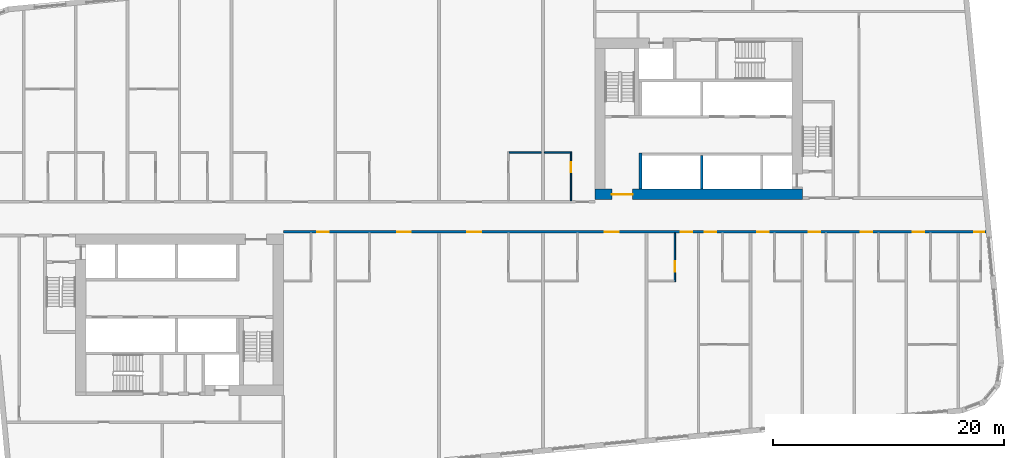
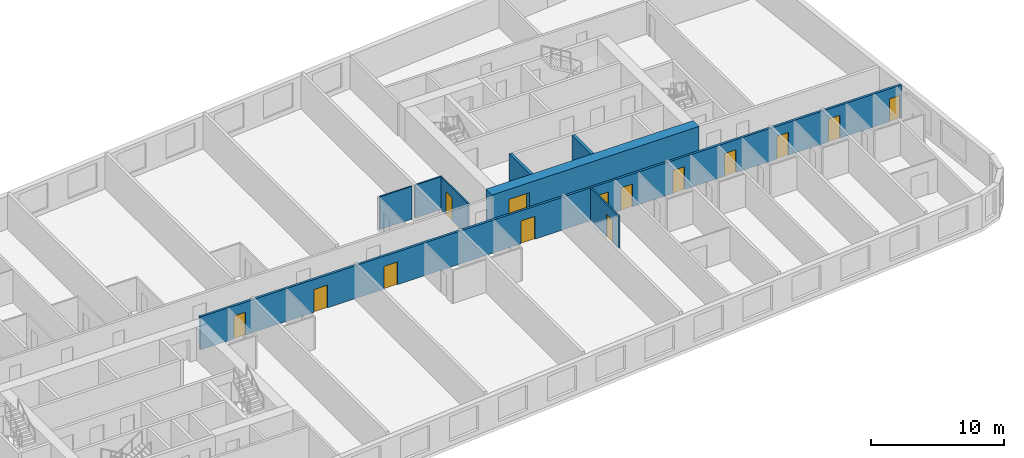
# One storey, part 5 of 12: 14 doors, 8 walls, 14 openings.
"""IFC4 building model written with IfcOpenShell, lengths in metres."""

from ifc_helpers import new_model, si_unit, direction, frame, frame_2d, origin, place, context, subcontext, project, spatial, rectangle, extrude, material, layer, layer_set, type_object, element, fill, save


model = new_model("IFC4")

# Units and contexts
model_context = context("Model", 3, precision=1e-05, world=origin(), true_north=direction((0.0, 1.0)))
body_context = subcontext(model_context, "Body", "Model", "MODEL_VIEW")
ifc_project = project(units=[si_unit("LENGTHUNIT", "METRE"), si_unit("AREAUNIT", "SQUARE_METRE"), si_unit("VOLUMEUNIT", "CUBIC_METRE"), si_unit("PLANEANGLEUNIT", "RADIAN"), si_unit("MASSUNIT", "GRAM", prefix="KILO")], contexts=[model_context])

# Site, building, storey
site_placement = place(None, origin())
site = spatial("IfcSite", under=ifc_project, at=site_placement, CompositionType="ELEMENT")
building_placement = place(site_placement, origin())
building = spatial("IfcBuilding", under=site, at=building_placement, Name="Kajstack Hotel Tower", CompositionType="ELEMENT")
storey_placement = place(building_placement, frame((0.0, 0.0, 127.300048828125)))
storey = spatial("IfcBuildingStorey", under=building, at=storey_placement, Name="L28", CompositionType="ELEMENT", Elevation=127.300048828125)

# Wall, opening, door
ifc_material_1 = material(Name="Concrete C60/75", Category="concrete")
ifc_layer_1 = layer(ifc_material_1, 0.89990234375)
ifc_layer_set_1 = layer_set([ifc_layer_1], Name="Core wall 900")
wall_type_1 = type_object("IfcWallType", Name="Core wall 900", PredefinedType="SHEAR", material=ifc_layer_set_1)
wall_1_placement = place(storey_placement, frame((13.5, 1.949951171875, 0.0), z_axis=(0.0, 0.0, 1.0), x_axis=(1.0, 0.0, 0.0)))
wall_1 = element("IfcWall", 1, at=wall_1_placement, inside=storey, type_object=wall_type_1, Name="Core wall E RN", PredefinedType="SHEAR", context=body_context, shape_type="SweptSolid", body=[
    extrude(rectangle(XDim=18.0, YDim=0.89990234375, at=frame_2d((9.0, 0.0))), origin(), (0.0, 0.0, 1.0), 3.02001953125),
])
opening_1_placement = place(wall_1_placement, frame((1.47509765625, 0.0, 0.0)))
opening_1 = element("IfcOpeningElement", 2, at=opening_1_placement, cuts=wall_1, Name="Opening 28E06", PredefinedType="OPENING", context=body_context, shape_type="SweptSolid", body=[
    extrude(rectangle(XDim=1.800048828125, YDim=2.10009765625, at=frame_2d((0.89990234375, 1.050048828125))), frame((0.0, 0.4599609375, 0.0), z_axis=(0.0, -1.0, 0.0), x_axis=(1.0, 0.0, 0.0)), (0.0, 0.0, 1.0), 0.919921875),
])
ifc_material_2 = material(Name="Glazed steel frame, fire-rated glass", Category="steel")
door_type_1 = type_object("IfcDoorType", Name="Lobby double door 1800", OperationType="DOUBLE_DOOR_DOUBLE_SWING", PredefinedType="DOOR", material=ifc_material_2)
door_1_placement = place(opening_1_placement, origin())
door_1 = element("IfcDoor", 3, at=door_1_placement, inside=storey, type_object=door_type_1, Name="Door 28E06", OperationType="DOUBLE_DOOR_DOUBLE_SWING", OverallHeight=2.10009765625, OverallWidth=1.800048828125, PredefinedType="DOOR", context=body_context, shape_type="SweptSolid", body=[
    extrude(rectangle(XDim=1.800048828125, YDim=2.10009765625, at=frame_2d((0.89990234375, 1.050048828125))), frame((0.0, 0.02490234375, 0.0), z_axis=(0.0, -1.0, 0.0), x_axis=(1.0, 0.0, 0.0)), (0.0, 0.0, 1.0), 0.050048828125),
])
fill(opening_1, door_1)

# Wall, openings, doors
ifc_material_3 = material(Name="Gypsum board on steel studs, mineral wool", Category="steel")
ifc_layer_2 = layer(ifc_material_3, 0.199951171875)
ifc_layer_set_2 = layer_set([ifc_layer_2], Name="Corridor wall 200")
wall_type_2 = type_object("IfcWallType", Name="Corridor wall 200", PredefinedType="PARTITIONING", material=ifc_layer_set_2)
wall_2_placement = place(storey_placement, frame((-13.5, -1.300048828125, 0.0), z_axis=(0.0, 0.0, 1.0), x_axis=(1.0, 0.0, 0.0)))
wall_2 = element("IfcWall", 4, at=wall_2_placement, inside=storey, type_object=wall_type_2, Name="G-wall-L28-026", PredefinedType="PARTITIONING", context=body_context, shape_type="SweptSolid", body=[
    extrude(rectangle(XDim=60.931884765625, YDim=0.199951171875, at=frame_2d((30.4658203125, 0.0))), origin(), (0.0, 0.0, 1.0), 3.02001953125),
])
opening_2_placement = place(wall_2_placement, frame((2.925048828125, 0.0, 0.0)))
opening_2 = element("IfcOpeningElement", 5, at=opening_2_placement, cuts=wall_2, Name="Opening 28021", PredefinedType="OPENING", context=body_context, shape_type="SweptSolid", body=[
    extrude(rectangle(XDim=1.0, YDim=2.10009765625, at=frame_2d((0.5, 1.050048828125))), frame((0.0, 0.10986328125, 0.0), z_axis=(0.0, -1.0, 0.0), x_axis=(1.0, 0.0, 0.0)), (0.0, 0.0, 1.0), 0.219970703125),
])
opening_3_placement = place(wall_2_placement, frame((9.863037109375, 0.0, 0.0)))
opening_3 = element("IfcOpeningElement", 6, at=opening_3_placement, cuts=wall_2, Name="Opening 28023", PredefinedType="OPENING", context=body_context, shape_type="SweptSolid", body=[
    extrude(rectangle(XDim=1.199951171875, YDim=2.10009765625, at=frame_2d((0.60009765625, 1.050048828125))), frame((0.0, 0.10986328125, 0.0), z_axis=(0.0, -1.0, 0.0), x_axis=(1.0, 0.0, 0.0)), (0.0, 0.0, 1.0), 0.219970703125),
])
opening_4_placement = place(wall_2_placement, frame((15.93798828125, 0.0, 0.0)))
opening_4 = element("IfcOpeningElement", 7, at=opening_4_placement, cuts=wall_2, Name="Opening 28025", PredefinedType="OPENING", context=body_context, shape_type="SweptSolid", body=[
    extrude(rectangle(XDim=1.199951171875, YDim=2.10009765625, at=frame_2d((0.60009765625, 1.050048828125))), frame((0.0, 0.10986328125, 0.0), z_axis=(0.0, -1.0, 0.0), x_axis=(1.0, 0.0, 0.0)), (0.0, 0.0, 1.0), 0.219970703125),
])
opening_5_placement = place(wall_2_placement, frame((27.862060546875, 0.0, 0.0)))
opening_5 = element("IfcOpeningElement", 8, at=opening_5_placement, cuts=wall_2, Name="Opening 28027", PredefinedType="OPENING", context=body_context, shape_type="SweptSolid", body=[
    extrude(rectangle(XDim=1.199951171875, YDim=2.10009765625, at=frame_2d((0.60009765625, 1.050048828125))), frame((0.0, 0.10986328125, 0.0), z_axis=(0.0, -1.0, 0.0), x_axis=(1.0, 0.0, 0.0)), (0.0, 0.0, 1.0), 0.219970703125),
])
opening_6_placement = place(wall_2_placement, frame((34.449951171875, 0.0, 0.0)))
opening_6 = element("IfcOpeningElement", 9, at=opening_6_placement, cuts=wall_2, Name="Opening 28029", PredefinedType="OPENING", context=body_context, shape_type="SweptSolid", body=[
    extrude(rectangle(XDim=1.0, YDim=2.10009765625, at=frame_2d((0.5, 1.050048828125))), frame((0.0, 0.10986328125, 0.0), z_axis=(0.0, -1.0, 0.0), x_axis=(1.0, 0.0, 0.0)), (0.0, 0.0, 1.0), 0.219970703125),
])
opening_7_placement = place(wall_2_placement, frame((36.550048828125, 0.0, 0.0)))
opening_7 = element("IfcOpeningElement", 10, at=opening_7_placement, cuts=wall_2, Name="Opening 28031", PredefinedType="OPENING", context=body_context, shape_type="SweptSolid", body=[
    extrude(rectangle(XDim=1.0, YDim=2.10009765625, at=frame_2d((0.5, 1.050048828125))), frame((0.0, 0.10986328125, 0.0), z_axis=(0.0, -1.0, 0.0), x_axis=(1.0, 0.0, 0.0)), (0.0, 0.0, 1.0), 0.219970703125),
])
opening_8_placement = place(wall_2_placement, frame((41.074951171875, 0.0, 0.0)))
opening_8 = element("IfcOpeningElement", 11, at=opening_8_placement, cuts=wall_2, Name="Opening 28034", PredefinedType="OPENING", context=body_context, shape_type="SweptSolid", body=[
    extrude(rectangle(XDim=1.0, YDim=2.10009765625, at=frame_2d((0.5, 1.050048828125))), frame((0.0, 0.10986328125, 0.0), z_axis=(0.0, -1.0, 0.0), x_axis=(1.0, 0.0, 0.0)), (0.0, 0.0, 1.0), 0.219970703125),
])
opening_9_placement = place(wall_2_placement, frame((45.550048828125, 0.0, 0.0)))
opening_9 = element("IfcOpeningElement", 12, at=opening_9_placement, cuts=wall_2, Name="Opening 28036", PredefinedType="OPENING", context=body_context, shape_type="SweptSolid", body=[
    extrude(rectangle(XDim=1.0, YDim=2.10009765625, at=frame_2d((0.5, 1.050048828125))), frame((0.0, 0.10986328125, 0.0), z_axis=(0.0, -1.0, 0.0), x_axis=(1.0, 0.0, 0.0)), (0.0, 0.0, 1.0), 0.219970703125),
])
opening_10_placement = place(wall_2_placement, frame((50.074951171875, 0.0, 0.0)))
opening_10 = element("IfcOpeningElement", 13, at=opening_10_placement, cuts=wall_2, Name="Opening 28038", PredefinedType="OPENING", context=body_context, shape_type="SweptSolid", body=[
    extrude(rectangle(XDim=1.0, YDim=2.10009765625, at=frame_2d((0.5, 1.050048828125))), frame((0.0, 0.10986328125, 0.0), z_axis=(0.0, -1.0, 0.0), x_axis=(1.0, 0.0, 0.0)), (0.0, 0.0, 1.0), 0.219970703125),
])
opening_11_placement = place(wall_2_placement, frame((54.574951171875, 0.0, 0.0)))
opening_11 = element("IfcOpeningElement", 14, at=opening_11_placement, cuts=wall_2, Name="Opening 28040", PredefinedType="OPENING", context=body_context, shape_type="SweptSolid", body=[
    extrude(rectangle(XDim=1.0, YDim=2.10009765625, at=frame_2d((0.5, 1.050048828125))), frame((0.0, 0.10986328125, 0.0), z_axis=(0.0, -1.0, 0.0), x_axis=(1.0, 0.0, 0.0)), (0.0, 0.0, 1.0), 0.219970703125),
])
opening_12_placement = place(wall_2_placement, frame((59.882080078125, 0.0, 0.0)))
opening_12 = element("IfcOpeningElement", 15, at=opening_12_placement, cuts=wall_2, Name="Opening 28043", PredefinedType="OPENING", context=body_context, shape_type="SweptSolid", body=[
    extrude(rectangle(XDim=0.89990234375, YDim=2.10009765625, at=frame_2d((0.449951171875, 1.050048828125))), frame((0.0, 0.10986328125, 0.0), z_axis=(0.0, -1.0, 0.0), x_axis=(1.0, 0.0, 0.0)), (0.0, 0.0, 1.0), 0.219970703125),
])
ifc_material_4 = material(Name="Oak veneer on timber core, fire-rated leaf", Category="wood")
door_type_2 = type_object("IfcDoorType", Name="Flat entrance door 1000", OperationType="SINGLE_SWING_LEFT", PredefinedType="DOOR", material=ifc_material_4)
door_2_placement = place(opening_2_placement, origin())
door_2 = element("IfcDoor", 16, at=door_2_placement, inside=storey, type_object=door_type_2, Name="G-door-L28-21", OperationType="SINGLE_SWING_LEFT", OverallHeight=2.10009765625, OverallWidth=1.0, PredefinedType="DOOR", context=body_context, shape_type="SweptSolid", body=[
    extrude(rectangle(XDim=1.0, YDim=2.10009765625, at=frame_2d((0.5, 1.050048828125))), frame((0.0, 0.02490234375, 0.0), z_axis=(0.0, -1.0, 0.0), x_axis=(1.0, 0.0, 0.0)), (0.0, 0.0, 1.0), 0.050048828125),
])
fill(opening_2, door_2)
door_3_placement = place(opening_6_placement, origin())
door_3 = element("IfcDoor", 17, at=door_3_placement, inside=storey, type_object=door_type_2, Name="G-door-L28-29", OperationType="SINGLE_SWING_LEFT", OverallHeight=2.10009765625, OverallWidth=1.0, PredefinedType="DOOR", context=body_context, shape_type="SweptSolid", body=[
    extrude(rectangle(XDim=1.0, YDim=2.10009765625, at=frame_2d((0.5, 1.050048828125))), frame((0.0, 0.02490234375, 0.0), z_axis=(0.0, -1.0, 0.0), x_axis=(1.0, 0.0, 0.0)), (0.0, 0.0, 1.0), 0.050048828125),
])
fill(opening_6, door_3)
door_4_placement = place(opening_7_placement, origin())
door_4 = element("IfcDoor", 18, at=door_4_placement, inside=storey, type_object=door_type_2, Name="G-door-L28-31", OperationType="SINGLE_SWING_LEFT", OverallHeight=2.10009765625, OverallWidth=1.0, PredefinedType="DOOR", context=body_context, shape_type="SweptSolid", body=[
    extrude(rectangle(XDim=1.0, YDim=2.10009765625, at=frame_2d((0.5, 1.050048828125))), frame((0.0, 0.02490234375, 0.0), z_axis=(0.0, -1.0, 0.0), x_axis=(1.0, 0.0, 0.0)), (0.0, 0.0, 1.0), 0.050048828125),
])
fill(opening_7, door_4)
door_5_placement = place(opening_8_placement, origin())
door_5 = element("IfcDoor", 19, at=door_5_placement, inside=storey, type_object=door_type_2, Name="G-door-L28-34", OperationType="SINGLE_SWING_RIGHT", OverallHeight=2.10009765625, OverallWidth=1.0, PredefinedType="DOOR", context=body_context, shape_type="SweptSolid", body=[
    extrude(rectangle(XDim=1.0, YDim=2.10009765625, at=frame_2d((0.5, 1.050048828125))), frame((0.0, 0.02490234375, 0.0), z_axis=(0.0, -1.0, 0.0), x_axis=(1.0, 0.0, 0.0)), (0.0, 0.0, 1.0), 0.050048828125),
])
fill(opening_8, door_5)
door_6_placement = place(opening_9_placement, origin())
door_6 = element("IfcDoor", 20, at=door_6_placement, inside=storey, type_object=door_type_2, Name="G-door-L28-36", OperationType="SINGLE_SWING_LEFT", OverallHeight=2.10009765625, OverallWidth=1.0, PredefinedType="DOOR", context=body_context, shape_type="SweptSolid", body=[
    extrude(rectangle(XDim=1.0, YDim=2.10009765625, at=frame_2d((0.5, 1.050048828125))), frame((0.0, 0.02490234375, 0.0), z_axis=(0.0, -1.0, 0.0), x_axis=(1.0, 0.0, 0.0)), (0.0, 0.0, 1.0), 0.050048828125),
])
fill(opening_9, door_6)
door_7_placement = place(opening_10_placement, origin())
door_7 = element("IfcDoor", 21, at=door_7_placement, inside=storey, type_object=door_type_2, Name="G-door-L28-38", OperationType="SINGLE_SWING_LEFT", OverallHeight=2.10009765625, OverallWidth=1.0, PredefinedType="DOOR", context=body_context, shape_type="SweptSolid", body=[
    extrude(rectangle(XDim=1.0, YDim=2.10009765625, at=frame_2d((0.5, 1.050048828125))), frame((0.0, 0.02490234375, 0.0), z_axis=(0.0, -1.0, 0.0), x_axis=(1.0, 0.0, 0.0)), (0.0, 0.0, 1.0), 0.050048828125),
])
fill(opening_10, door_7)
door_8_placement = place(opening_11_placement, origin())
door_8 = element("IfcDoor", 22, at=door_8_placement, inside=storey, type_object=door_type_2, Name="G-door-L28-40", OperationType="SINGLE_SWING_RIGHT", OverallHeight=2.10009765625, OverallWidth=1.0, PredefinedType="DOOR", context=body_context, shape_type="SweptSolid", body=[
    extrude(rectangle(XDim=1.0, YDim=2.10009765625, at=frame_2d((0.5, 1.050048828125))), frame((0.0, 0.02490234375, 0.0), z_axis=(0.0, -1.0, 0.0), x_axis=(1.0, 0.0, 0.0)), (0.0, 0.0, 1.0), 0.050048828125),
])
fill(opening_11, door_8)
door_type_3 = type_object("IfcDoorType", Name="Flat entrance door 1200", OperationType="SINGLE_SWING_LEFT", PredefinedType="DOOR", material=ifc_material_4)
door_9_placement = place(opening_3_placement, origin())
door_9 = element("IfcDoor", 23, at=door_9_placement, inside=storey, type_object=door_type_3, Name="G-door-L28-23", OperationType="SINGLE_SWING_LEFT", OverallHeight=2.10009765625, OverallWidth=1.199951171875, PredefinedType="DOOR", context=body_context, shape_type="SweptSolid", body=[
    extrude(rectangle(XDim=1.199951171875, YDim=2.10009765625, at=frame_2d((0.60009765625, 1.050048828125))), frame((0.0, 0.02490234375, 0.0), z_axis=(0.0, -1.0, 0.0), x_axis=(1.0, 0.0, 0.0)), (0.0, 0.0, 1.0), 0.050048828125),
])
fill(opening_3, door_9)
door_10_placement = place(opening_4_placement, origin())
door_10 = element("IfcDoor", 24, at=door_10_placement, inside=storey, type_object=door_type_3, Name="G-door-L28-25", OperationType="SINGLE_SWING_RIGHT", OverallHeight=2.10009765625, OverallWidth=1.199951171875, PredefinedType="DOOR", context=body_context, shape_type="SweptSolid", body=[
    extrude(rectangle(XDim=1.199951171875, YDim=2.10009765625, at=frame_2d((0.60009765625, 1.050048828125))), frame((0.0, 0.02490234375, 0.0), z_axis=(0.0, -1.0, 0.0), x_axis=(1.0, 0.0, 0.0)), (0.0, 0.0, 1.0), 0.050048828125),
])
fill(opening_4, door_10)
door_11_placement = place(opening_5_placement, origin())
door_11 = element("IfcDoor", 25, at=door_11_placement, inside=storey, type_object=door_type_3, Name="G-door-L28-27", OperationType="SINGLE_SWING_LEFT", OverallHeight=2.10009765625, OverallWidth=1.199951171875, PredefinedType="DOOR", context=body_context, shape_type="SweptSolid", body=[
    extrude(rectangle(XDim=1.199951171875, YDim=2.10009765625, at=frame_2d((0.60009765625, 1.050048828125))), frame((0.0, 0.02490234375, 0.0), z_axis=(0.0, -1.0, 0.0), x_axis=(1.0, 0.0, 0.0)), (0.0, 0.0, 1.0), 0.050048828125),
])
fill(opening_5, door_11)
ifc_material_5 = material(Name="Painted timber door leaf", Category="wood")
door_type_4 = type_object("IfcDoorType", Name="Room door 900", OperationType="SINGLE_SWING_LEFT", PredefinedType="DOOR", material=ifc_material_5)
door_12_placement = place(opening_12_placement, origin())
door_12 = element("IfcDoor", 26, at=door_12_placement, inside=storey, type_object=door_type_4, Name="G-door-L28-43", OperationType="SINGLE_SWING_LEFT", OverallHeight=2.10009765625, OverallWidth=0.89990234375, PredefinedType="DOOR", context=body_context, shape_type="SweptSolid", body=[
    extrude(rectangle(XDim=0.89990234375, YDim=2.10009765625, at=frame_2d((0.449951171875, 1.050048828125))), frame((0.0, 0.02490234375, 0.0), z_axis=(0.0, -1.0, 0.0), x_axis=(1.0, 0.0, 0.0)), (0.0, 0.0, 1.0), 0.050048828125),
])
fill(opening_12, door_12)

# Wall
ifc_material_6 = material(Name="Gypsum board and tiled backer on steel studs", Category="steel")
ifc_layer_3 = layer(ifc_material_6, 0.125)
ifc_layer_set_3 = layer_set([ifc_layer_3], Name="En-suite wall 125")
wall_type_3 = type_object("IfcWallType", Name="En-suite wall 125", PredefinedType="PARTITIONING", material=ifc_layer_set_3)
wall_3_placement = place(storey_placement, frame((6.074951171875, 5.56201171875, 0.0), z_axis=(0.0, 0.0, 1.0), x_axis=(1.0, 0.0, 0.0)))
element("IfcWall", 27, at=wall_3_placement, inside=storey, type_object=wall_type_3, Name="G-wall-L28-023", PredefinedType="PARTITIONING", context=body_context, shape_type="SweptSolid", body=[
    extrude(rectangle(XDim=2.800048828125, YDim=0.125, at=frame_2d((1.39990234375, 0.0))), origin(), (0.0, 0.0, 1.0), 3.02001953125),
])

# Wall, opening, door
wall_4_placement = place(storey_placement, frame((11.43798828125, 1.39990234375, 0.0), z_axis=(0.0, 0.0, 1.0), x_axis=(0.0, 1.0, 0.0)))
wall_4 = element("IfcWall", 28, at=wall_4_placement, inside=storey, type_object=wall_type_3, Name="G-wall-L28-024", PredefinedType="PARTITIONING", context=body_context, shape_type="SweptSolid", body=[
    extrude(rectangle(XDim=4.22509765625, YDim=0.125, at=frame_2d((2.112548828125, 0.0))), origin(), (0.0, 0.0, 1.0), 3.02001953125),
])
opening_13_placement = place(wall_4_placement, frame((2.449951171875, 0.0, 0.0)))
opening_13 = element("IfcOpeningElement", 29, at=opening_13_placement, cuts=wall_4, Name="Opening 28020", PredefinedType="OPENING", context=body_context, shape_type="SweptSolid", body=[
    extrude(rectangle(XDim=0.89990234375, YDim=2.10009765625, at=frame_2d((0.449951171875, 1.050048828125))), frame((0.0, 0.072509765625, 0.0), z_axis=(0.0, -1.0, 0.0), x_axis=(1.0, 0.0, 0.0)), (0.0, 0.0, 1.0), 0.14501953125),
])
door_13_placement = place(opening_13_placement, origin())
door_13 = element("IfcDoor", 30, at=door_13_placement, inside=storey, type_object=door_type_4, Name="G-door-L28-20", OperationType="SINGLE_SWING_LEFT", OverallHeight=2.10009765625, OverallWidth=0.89990234375, PredefinedType="DOOR", context=body_context, shape_type="SweptSolid", body=[
    extrude(rectangle(XDim=0.89990234375, YDim=2.10009765625, at=frame_2d((0.449951171875, 1.050048828125))), frame((0.0, 0.02490234375, 0.0), z_axis=(0.0, -1.0, 0.0), x_axis=(1.0, 0.0, 0.0)), (0.0, 0.0, 1.0), 0.050048828125),
])
fill(opening_13, door_13)

# Wall
wall_5_placement = place(storey_placement, frame((9.125, 5.56201171875, 0.0), z_axis=(0.0, 0.0, 1.0), x_axis=(1.0, 0.0, 0.0)))
element("IfcWall", 31, at=wall_5_placement, inside=storey, type_object=wall_type_3, Name="G-wall-L28-025", PredefinedType="PARTITIONING", context=body_context, shape_type="SweptSolid", body=[
    extrude(rectangle(XDim=2.25, YDim=0.125, at=frame_2d((1.125, 0.0))), origin(), (0.0, 0.0, 1.0), 3.02001953125),
])

# Wall, opening, door
wall_6_placement = place(storey_placement, frame((20.43798828125, -5.625, 0.0), z_axis=(0.0, 0.0, 1.0), x_axis=(0.0, 1.0, 0.0)))
wall_6 = element("IfcWall", 32, at=wall_6_placement, inside=storey, type_object=wall_type_3, Name="G-wall-L28-036", PredefinedType="PARTITIONING", context=body_context, shape_type="SweptSolid", body=[
    extrude(rectangle(XDim=4.22509765625, YDim=0.125, at=frame_2d((2.112548828125, 0.0))), origin(), (0.0, 0.0, 1.0), 3.02001953125),
])
opening_14_placement = place(wall_6_placement, frame((0.875, 0.0, 0.0)))
opening_14 = element("IfcOpeningElement", 33, at=opening_14_placement, cuts=wall_6, Name="Opening 28030", PredefinedType="OPENING", context=body_context, shape_type="SweptSolid", body=[
    extrude(rectangle(XDim=0.89990234375, YDim=2.10009765625, at=frame_2d((0.449951171875, 1.050048828125))), frame((0.0, 0.072509765625, 0.0), z_axis=(0.0, -1.0, 0.0), x_axis=(1.0, 0.0, 0.0)), (0.0, 0.0, 1.0), 0.14501953125),
])
door_14_placement = place(opening_14_placement, origin())
door_14 = element("IfcDoor", 34, at=door_14_placement, inside=storey, type_object=door_type_4, Name="G-door-L28-30", OperationType="SINGLE_SWING_RIGHT", OverallHeight=2.10009765625, OverallWidth=0.89990234375, PredefinedType="DOOR", context=body_context, shape_type="SweptSolid", body=[
    extrude(rectangle(XDim=0.89990234375, YDim=2.10009765625, at=frame_2d((0.449951171875, 1.050048828125))), frame((0.0, 0.02490234375, 0.0), z_axis=(0.0, -1.0, 0.0), x_axis=(1.0, 0.0, 0.0)), (0.0, 0.0, 1.0), 0.050048828125),
])
fill(opening_14, door_14)

# Walls
ifc_material_7 = material(Name="Concrete C50/60", Category="concrete")
ifc_layer_4 = layer(ifc_material_7, 0.300048828125)
ifc_layer_set_4 = layer_set([ifc_layer_4], Name="Hoistway divider wall 300")
wall_type_4 = type_object("IfcWallType", Name="Hoistway divider wall 300", PredefinedType="SHEAR", material=ifc_layer_set_4)
wall_7_placement = place(storey_placement, frame((22.77490234375, 2.39990234375, 0.0), z_axis=(0.0, 0.0, 1.0), x_axis=(0.0, 1.0, 0.0)))
element("IfcWall", 35, at=wall_7_placement, inside=storey, type_object=wall_type_4, Name="Core wall E AP2", PredefinedType="SHEAR", context=body_context, shape_type="SweptSolid", body=[
    extrude(rectangle(XDim=2.900146484375, YDim=0.25, at=frame_2d((1.4501953125, 0.0))), origin(), (0.0, 0.0, 1.0), 3.02001953125),
])
ifc_layer_5 = layer(ifc_material_7, 0.25)
ifc_layer_set_5 = layer_set([ifc_layer_5], Name="Shaft wall 250")
wall_type_5 = type_object("IfcWallType", Name="Shaft wall 250", PredefinedType="SHEAR", material=ifc_layer_set_5)
wall_8_placement = place(storey_placement, frame((17.47509765625, 2.39990234375, 0.0), z_axis=(0.0, 0.0, 1.0), x_axis=(0.0, 1.0, 0.0)))
element("IfcWall", 36, at=wall_8_placement, inside=storey, type_object=wall_type_5, Name="Core wall E AE", PredefinedType="SHEAR", context=body_context, shape_type="SweptSolid", body=[
    extrude(rectangle(XDim=3.150146484375, YDim=0.25, at=frame_2d((1.5751953125, 0.0))), origin(), (0.0, 0.0, 1.0), 3.02001953125),
])

save(model, "model.ifc")
